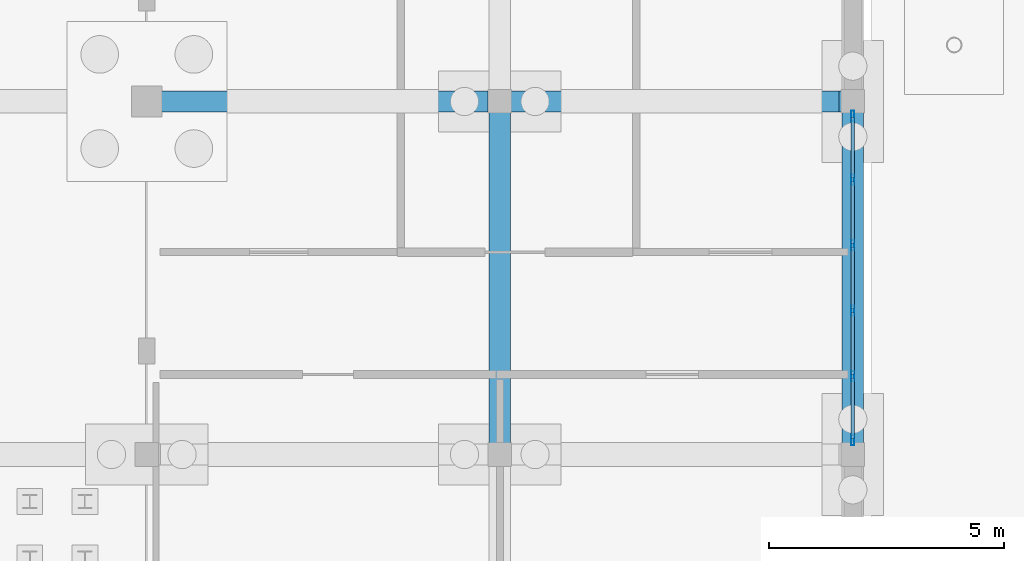
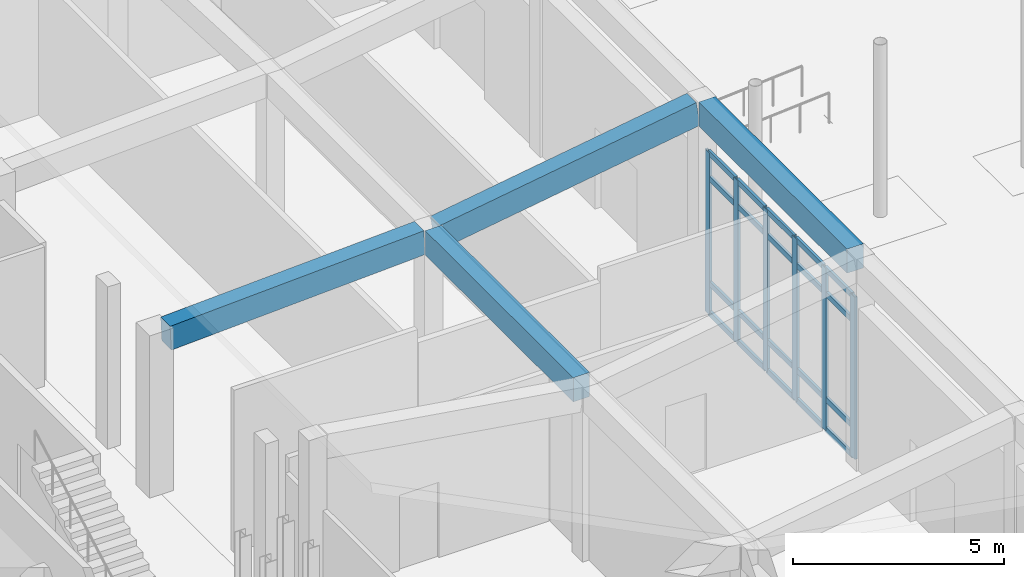
# One storey, part 36 of 173: 26 members, 4 beams, 1 element without a shape of its own.
"""IFC4 building model written with IfcOpenShell, lengths in metres."""

from ifc_helpers import new_model, si_unit, direction, frame, origin, origin_2d, place, context, subcontext, project, spatial, rectangle, hollow_rectangle, extrude, material, layer, layer_set, material_profile, profile_set, type_object, element, aggregate, save


model = new_model("IFC4")

# Units and contexts
model_context = context("Model", 3, precision=1e-05, world=origin(), true_north=direction((0.0, 1.0)))
body_context = subcontext(model_context, "Body", "Model", "MODEL_VIEW")
ifc_project = project(units=[si_unit("LENGTHUNIT", "METRE"), si_unit("AREAUNIT", "SQUARE_METRE"), si_unit("VOLUMEUNIT", "CUBIC_METRE"), si_unit("PLANEANGLEUNIT", "RADIAN"), si_unit("MASSUNIT", "GRAM", prefix="KILO")], contexts=[model_context])

# Site, building, storey
site_placement = place(None, origin())
site = spatial("IfcSite", under=ifc_project, at=site_placement, CompositionType="ELEMENT")
building_placement = place(site_placement, origin())
building = spatial("IfcBuilding", under=site, at=building_placement, Name="Mawjan Specialist Oncology Clinic", CompositionType="ELEMENT")
storey_placement = place(building_placement, origin())
storey = spatial("IfcBuildingStorey", under=building, at=storey_placement, Name="L00", CompositionType="ELEMENT", Elevation=0.0)

# Beams
ifc_material_1 = material(Name="Concrete C40/50", Category="concrete")
ifc_material_profile_1 = material_profile(ifc_material_1, rectangle(XDim=0.449951171875, YDim=0.699951171875, at=origin_2d()), Name="RC BM 450x700", Category="concrete")
ifc_profile_set_1 = profile_set([ifc_material_profile_1], Name="Concrete C40/50")
beam_type = type_object("IfcBeamType", Name="BM-450x700", PredefinedType="BEAM", material=ifc_profile_set_1)
beam_1_placement = place(storey_placement, frame((45.31005859375, 30.800048828125, 4.35009765625), z_axis=(0.998835460308, 0.0, 0.048246484129), x_axis=(0.0, 1.0, 0.0)))
element("IfcBeam", 1, at=beam_1_placement, inside=storey, type_object=beam_type, Name="L00 Roof Framing Beam BM-RF-L00-1246", PredefinedType="BEAM", context=body_context, shape_type="SweptSolid", body=[
    extrude(rectangle(XDim=0.449951171875, YDim=0.699951171875, at=origin_2d()), origin(), (0.0, 0.0, 1.0), 6.962890625),
])
beam_2_placement = place(storey_placement, frame((52.735107421875, 30.800048828125, 4.68603515625), z_axis=(0.987938984862, 0.0, 0.154843670163), x_axis=(0.0, 1.0, 0.0)))
element("IfcBeam", 2, at=beam_2_placement, inside=storey, type_object=beam_type, Name="L00 Roof Framing Beam BM-RF-L00-1247", PredefinedType="BEAM", context=body_context, shape_type="SweptSolid", body=[
    extrude(rectangle(XDim=0.449951171875, YDim=0.699951171875, at=origin_2d()), origin(), (0.0, 0.0, 1.0), 7.11572265625),
])
for number, where, z_axis, x_axis, name in (
    (3, (52.5, 23.534912109375, 4.68603515625), (0.0, 1.0, 0.0), (-1.0, 0.0, 0.0), "L00 Roof Framing Beam BM-RF-L00-1264"),
    (4, (60.0, 23.534912109375, 5.787841796875), (0.0, 1.0, 0.0), (-1.0, 0.0, 0.0), "L00 Roof Framing Beam BM-RF-L00-1269"),
):
    element("IfcBeam", number, at=place(storey_placement, frame(where, z_axis=z_axis, x_axis=x_axis)), inside=storey, type_object=beam_type, Name=name, PredefinedType="BEAM", context=body_context, shape_type="SweptSolid", body=[
        extrude(rectangle(XDim=0.449951171875, YDim=0.699951171875, at=origin_2d()), origin(), (0.0, 0.0, 1.0), 7.030029296875),
    ])

# Curtain wall, members
ifc_material_2 = material(Name="Unitised spectrally selective aluminium curtain wall", Category="aluminium")
ifc_layer = layer(ifc_material_2, 0.179931640625, Name="Unitised spectrally selective aluminium curtain wall", Category="aluminium")
ifc_layer_set = layer_set([ifc_layer], Name="Unitised spectrally selective aluminium curtain wall")
curtain_wall_type = type_object("IfcCurtainWallType", Name="CW-21", PredefinedType="NOTDEFINED", material=ifc_layer_set)
curtain_wall_placement = place(storey_placement, origin())
curtain_wall = element("IfcCurtainWall", 5, at=curtain_wall_placement, inside=storey, type_object=curtain_wall_type, Name="L00 Unitised Curtain Wall CW-L00-037", PredefinedType="NOTDEFINED")
ifc_material_3 = material(Name="Thermally broken aluminium 6063-T6", Category="aluminium")
ifc_material_profile_2 = material_profile(ifc_material_3, hollow_rectangle(XDim=0.070068359375, YDim=0.219970703125, WallThickness=0.00390625, at=origin_2d()), Name="ALU MULLION 220x70x4", Category="aluminium")
ifc_profile_set_2 = profile_set([ifc_material_profile_2], Name="Thermally broken aluminium 6063-T6")
member_type_1 = type_object("IfcMemberType", Name="CW-M220", PredefinedType="MULLION", material=ifc_profile_set_2)
member_1_placement = place(storey_placement, frame((60.0, 30.4951171875, 0.0), z_axis=(0.0, 0.0, 1.0), x_axis=(1.0, 0.0, 0.0)))
member_1 = element("IfcMember", 6, at=member_1_placement, type_object=member_type_1, Name="CW-21 mullion 1", PredefinedType="MULLION", context=body_context, shape_type="SweptSolid", body=[
    extrude(hollow_rectangle(XDim=0.070068359375, YDim=0.219970703125, WallThickness=0.00390625, at=origin_2d()), origin(), (0.0, 0.0, 1.0), 4.699951171875),
])
member_2_placement = place(storey_placement, frame((60.0, 29.137939453125, 0.0), z_axis=(0.0, 0.0, 1.0), x_axis=(1.0, 0.0, 0.0)))
member_2 = element("IfcMember", 7, at=member_2_placement, type_object=member_type_1, Name="CW-21 mullion 2", PredefinedType="MULLION", context=body_context, shape_type="SweptSolid", body=[
    extrude(hollow_rectangle(XDim=0.070068359375, YDim=0.219970703125, WallThickness=0.00390625, at=origin_2d()), origin(), (0.0, 0.0, 1.0), 4.699951171875),
])
member_3_placement = place(storey_placement, frame((60.0, 27.74609375, 0.0), z_axis=(0.0, 0.0, 1.0), x_axis=(1.0, 0.0, 0.0)))
member_3 = element("IfcMember", 8, at=member_3_placement, type_object=member_type_1, Name="CW-21 mullion 3", PredefinedType="MULLION", context=body_context, shape_type="SweptSolid", body=[
    extrude(hollow_rectangle(XDim=0.070068359375, YDim=0.219970703125, WallThickness=0.00390625, at=origin_2d()), origin(), (0.0, 0.0, 1.0), 4.699951171875),
])
member_4_placement = place(storey_placement, frame((60.0, 26.35400390625, 0.0), z_axis=(0.0, 0.0, 1.0), x_axis=(1.0, 0.0, 0.0)))
member_4 = element("IfcMember", 9, at=member_4_placement, type_object=member_type_1, Name="CW-21 mullion 4", PredefinedType="MULLION", context=body_context, shape_type="SweptSolid", body=[
    extrude(hollow_rectangle(XDim=0.070068359375, YDim=0.219970703125, WallThickness=0.00390625, at=origin_2d()), origin(), (0.0, 0.0, 1.0), 4.699951171875),
])
member_5_placement = place(storey_placement, frame((60.0, 24.9619140625, 0.0), z_axis=(0.0, 0.0, 1.0), x_axis=(1.0, 0.0, 0.0)))
member_5 = element("IfcMember", 10, at=member_5_placement, type_object=member_type_1, Name="CW-21 mullion 5", PredefinedType="MULLION", context=body_context, shape_type="SweptSolid", body=[
    extrude(hollow_rectangle(XDim=0.070068359375, YDim=0.219970703125, WallThickness=0.00390625, at=origin_2d()), origin(), (0.0, 0.0, 1.0), 4.699951171875),
])
member_6_placement = place(storey_placement, frame((60.0, 23.60498046875, 0.0), z_axis=(0.0, 0.0, 1.0), x_axis=(1.0, 0.0, 0.0)))
member_6 = element("IfcMember", 11, at=member_6_placement, type_object=member_type_1, Name="CW-21 mullion 6", PredefinedType="MULLION", context=body_context, shape_type="SweptSolid", body=[
    extrude(hollow_rectangle(XDim=0.070068359375, YDim=0.219970703125, WallThickness=0.00390625, at=origin_2d()), origin(), (0.0, 0.0, 1.0), 4.699951171875),
])
ifc_material_4 = material(Name="Thermally broken aluminium 6063-T6", Category="aluminium")
ifc_material_profile_3 = material_profile(ifc_material_4, hollow_rectangle(XDim=0.070068359375, YDim=0.159912109375, WallThickness=0.00390625, at=origin_2d()), Name="ALU TRANSOM 160x70x4", Category="aluminium")
ifc_profile_set_3 = profile_set([ifc_material_profile_3], Name="Thermally broken aluminium 6063-T6")
member_type_2 = type_object("IfcMemberType", Name="CW-T160", PredefinedType="USERDEFINED", material=ifc_profile_set_3)
member_7_placement = place(storey_placement, frame((60.0, 30.4599609375, 0.034912109375), z_axis=(0.0, -1.0, 0.0), x_axis=(1.0, 0.0, 0.0)))
member_7 = element("IfcMember", 12, at=member_7_placement, type_object=member_type_2, Name="CW-21 transom 1.1", ObjectType="TRANSOM", PredefinedType="USERDEFINED", context=body_context, shape_type="SweptSolid", body=[
    extrude(hollow_rectangle(XDim=0.070068359375, YDim=0.159912109375, WallThickness=0.00390625, at=origin_2d()), origin(), (0.0, 0.0, 1.0), 1.286865234375),
])
member_8_placement = place(storey_placement, frame((60.0, 30.4599609375, 0.89990234375), z_axis=(0.0, -1.0, 0.0), x_axis=(1.0, 0.0, 0.0)))
member_8 = element("IfcMember", 13, at=member_8_placement, type_object=member_type_2, Name="CW-21 transom 1.2", ObjectType="TRANSOM", PredefinedType="USERDEFINED", context=body_context, shape_type="SweptSolid", body=[
    extrude(hollow_rectangle(XDim=0.070068359375, YDim=0.159912109375, WallThickness=0.00390625, at=origin_2d()), origin(), (0.0, 0.0, 1.0), 1.286865234375),
])
member_9_placement = place(storey_placement, frame((60.0, 30.4599609375, 3.949951171875), z_axis=(0.0, -1.0, 0.0), x_axis=(1.0, 0.0, 0.0)))
member_9 = element("IfcMember", 14, at=member_9_placement, type_object=member_type_2, Name="CW-21 transom 1.3", ObjectType="TRANSOM", PredefinedType="USERDEFINED", context=body_context, shape_type="SweptSolid", body=[
    extrude(hollow_rectangle(XDim=0.070068359375, YDim=0.159912109375, WallThickness=0.00390625, at=origin_2d()), origin(), (0.0, 0.0, 1.0), 1.286865234375),
])
member_10_placement = place(storey_placement, frame((60.0, 30.4599609375, 4.6650390625), z_axis=(0.0, -1.0, 0.0), x_axis=(1.0, 0.0, 0.0)))
member_10 = element("IfcMember", 15, at=member_10_placement, type_object=member_type_2, Name="CW-21 transom 1.4", ObjectType="TRANSOM", PredefinedType="USERDEFINED", context=body_context, shape_type="SweptSolid", body=[
    extrude(hollow_rectangle(XDim=0.070068359375, YDim=0.159912109375, WallThickness=0.00390625, at=origin_2d()), origin(), (0.0, 0.0, 1.0), 1.286865234375),
])
member_11_placement = place(storey_placement, frame((60.0, 29.10302734375, 0.034912109375), z_axis=(0.0, -1.0, 0.0), x_axis=(1.0, 0.0, 0.0)))
member_11 = element("IfcMember", 16, at=member_11_placement, type_object=member_type_2, Name="CW-21 transom 2.1", ObjectType="TRANSOM", PredefinedType="USERDEFINED", context=body_context, shape_type="SweptSolid", body=[
    extrude(hollow_rectangle(XDim=0.070068359375, YDim=0.159912109375, WallThickness=0.00390625, at=origin_2d()), origin(), (0.0, 0.0, 1.0), 1.322021484375),
])
member_12_placement = place(storey_placement, frame((60.0, 29.10302734375, 0.89990234375), z_axis=(0.0, -1.0, 0.0), x_axis=(1.0, 0.0, 0.0)))
member_12 = element("IfcMember", 17, at=member_12_placement, type_object=member_type_2, Name="CW-21 transom 2.2", ObjectType="TRANSOM", PredefinedType="USERDEFINED", context=body_context, shape_type="SweptSolid", body=[
    extrude(hollow_rectangle(XDim=0.070068359375, YDim=0.159912109375, WallThickness=0.00390625, at=origin_2d()), origin(), (0.0, 0.0, 1.0), 1.322021484375),
])
member_13_placement = place(storey_placement, frame((60.0, 29.10302734375, 3.949951171875), z_axis=(0.0, -1.0, 0.0), x_axis=(1.0, 0.0, 0.0)))
member_13 = element("IfcMember", 18, at=member_13_placement, type_object=member_type_2, Name="CW-21 transom 2.3", ObjectType="TRANSOM", PredefinedType="USERDEFINED", context=body_context, shape_type="SweptSolid", body=[
    extrude(hollow_rectangle(XDim=0.070068359375, YDim=0.159912109375, WallThickness=0.00390625, at=origin_2d()), origin(), (0.0, 0.0, 1.0), 1.322021484375),
])
member_14_placement = place(storey_placement, frame((60.0, 29.10302734375, 4.6650390625), z_axis=(0.0, -1.0, 0.0), x_axis=(1.0, 0.0, 0.0)))
member_14 = element("IfcMember", 19, at=member_14_placement, type_object=member_type_2, Name="CW-21 transom 2.4", ObjectType="TRANSOM", PredefinedType="USERDEFINED", context=body_context, shape_type="SweptSolid", body=[
    extrude(hollow_rectangle(XDim=0.070068359375, YDim=0.159912109375, WallThickness=0.00390625, at=origin_2d()), origin(), (0.0, 0.0, 1.0), 1.322021484375),
])
member_15_placement = place(storey_placement, frame((60.0, 27.7109375, 0.034912109375), z_axis=(0.0, -1.0, 0.0), x_axis=(1.0, 0.0, 0.0)))
member_15 = element("IfcMember", 20, at=member_15_placement, type_object=member_type_2, Name="CW-21 transom 3.1", ObjectType="TRANSOM", PredefinedType="USERDEFINED", context=body_context, shape_type="SweptSolid", body=[
    extrude(hollow_rectangle(XDim=0.070068359375, YDim=0.159912109375, WallThickness=0.00390625, at=origin_2d()), origin(), (0.0, 0.0, 1.0), 1.322021484375),
])
member_16_placement = place(storey_placement, frame((60.0, 27.7109375, 0.89990234375), z_axis=(0.0, -1.0, 0.0), x_axis=(1.0, 0.0, 0.0)))
member_16 = element("IfcMember", 21, at=member_16_placement, type_object=member_type_2, Name="CW-21 transom 3.2", ObjectType="TRANSOM", PredefinedType="USERDEFINED", context=body_context, shape_type="SweptSolid", body=[
    extrude(hollow_rectangle(XDim=0.070068359375, YDim=0.159912109375, WallThickness=0.00390625, at=origin_2d()), origin(), (0.0, 0.0, 1.0), 1.322021484375),
])
member_17_placement = place(storey_placement, frame((60.0, 27.7109375, 3.949951171875), z_axis=(0.0, -1.0, 0.0), x_axis=(1.0, 0.0, 0.0)))
member_17 = element("IfcMember", 22, at=member_17_placement, type_object=member_type_2, Name="CW-21 transom 3.3", ObjectType="TRANSOM", PredefinedType="USERDEFINED", context=body_context, shape_type="SweptSolid", body=[
    extrude(hollow_rectangle(XDim=0.070068359375, YDim=0.159912109375, WallThickness=0.00390625, at=origin_2d()), origin(), (0.0, 0.0, 1.0), 1.322021484375),
])
member_18_placement = place(storey_placement, frame((60.0, 27.7109375, 4.6650390625), z_axis=(0.0, -1.0, 0.0), x_axis=(1.0, 0.0, 0.0)))
member_18 = element("IfcMember", 23, at=member_18_placement, type_object=member_type_2, Name="CW-21 transom 3.4", ObjectType="TRANSOM", PredefinedType="USERDEFINED", context=body_context, shape_type="SweptSolid", body=[
    extrude(hollow_rectangle(XDim=0.070068359375, YDim=0.159912109375, WallThickness=0.00390625, at=origin_2d()), origin(), (0.0, 0.0, 1.0), 1.322021484375),
])
member_19_placement = place(storey_placement, frame((60.0, 26.319091796875, 0.034912109375), z_axis=(0.0, -1.0, 0.0), x_axis=(1.0, 0.0, 0.0)))
member_19 = element("IfcMember", 24, at=member_19_placement, type_object=member_type_2, Name="CW-21 transom 4.1", ObjectType="TRANSOM", PredefinedType="USERDEFINED", context=body_context, shape_type="SweptSolid", body=[
    extrude(hollow_rectangle(XDim=0.070068359375, YDim=0.159912109375, WallThickness=0.00390625, at=origin_2d()), origin(), (0.0, 0.0, 1.0), 1.322021484375),
])
member_20_placement = place(storey_placement, frame((60.0, 26.319091796875, 0.89990234375), z_axis=(0.0, -1.0, 0.0), x_axis=(1.0, 0.0, 0.0)))
member_20 = element("IfcMember", 25, at=member_20_placement, type_object=member_type_2, Name="CW-21 transom 4.2", ObjectType="TRANSOM", PredefinedType="USERDEFINED", context=body_context, shape_type="SweptSolid", body=[
    extrude(hollow_rectangle(XDim=0.070068359375, YDim=0.159912109375, WallThickness=0.00390625, at=origin_2d()), origin(), (0.0, 0.0, 1.0), 1.322021484375),
])
member_21_placement = place(storey_placement, frame((60.0, 26.319091796875, 3.949951171875), z_axis=(0.0, -1.0, 0.0), x_axis=(1.0, 0.0, 0.0)))
member_21 = element("IfcMember", 26, at=member_21_placement, type_object=member_type_2, Name="CW-21 transom 4.3", ObjectType="TRANSOM", PredefinedType="USERDEFINED", context=body_context, shape_type="SweptSolid", body=[
    extrude(hollow_rectangle(XDim=0.070068359375, YDim=0.159912109375, WallThickness=0.00390625, at=origin_2d()), origin(), (0.0, 0.0, 1.0), 1.322021484375),
])
member_22_placement = place(storey_placement, frame((60.0, 26.319091796875, 4.6650390625), z_axis=(0.0, -1.0, 0.0), x_axis=(1.0, 0.0, 0.0)))
member_22 = element("IfcMember", 27, at=member_22_placement, type_object=member_type_2, Name="CW-21 transom 4.4", ObjectType="TRANSOM", PredefinedType="USERDEFINED", context=body_context, shape_type="SweptSolid", body=[
    extrude(hollow_rectangle(XDim=0.070068359375, YDim=0.159912109375, WallThickness=0.00390625, at=origin_2d()), origin(), (0.0, 0.0, 1.0), 1.322021484375),
])
member_23_placement = place(storey_placement, frame((60.0, 24.927001953125, 0.034912109375), z_axis=(0.0, -1.0, 0.0), x_axis=(1.0, 0.0, 0.0)))
member_23 = element("IfcMember", 28, at=member_23_placement, type_object=member_type_2, Name="CW-21 transom 5.1", ObjectType="TRANSOM", PredefinedType="USERDEFINED", context=body_context, shape_type="SweptSolid", body=[
    extrude(hollow_rectangle(XDim=0.070068359375, YDim=0.159912109375, WallThickness=0.00390625, at=origin_2d()), origin(), (0.0, 0.0, 1.0), 1.287109375),
])
member_24_placement = place(storey_placement, frame((60.0, 24.927001953125, 0.89990234375), z_axis=(0.0, -1.0, 0.0), x_axis=(1.0, 0.0, 0.0)))
member_24 = element("IfcMember", 29, at=member_24_placement, type_object=member_type_2, Name="CW-21 transom 5.2", ObjectType="TRANSOM", PredefinedType="USERDEFINED", context=body_context, shape_type="SweptSolid", body=[
    extrude(hollow_rectangle(XDim=0.070068359375, YDim=0.159912109375, WallThickness=0.00390625, at=origin_2d()), origin(), (0.0, 0.0, 1.0), 1.287109375),
])
member_25_placement = place(storey_placement, frame((60.0, 24.927001953125, 3.949951171875), z_axis=(0.0, -1.0, 0.0), x_axis=(1.0, 0.0, 0.0)))
member_25 = element("IfcMember", 30, at=member_25_placement, type_object=member_type_2, Name="CW-21 transom 5.3", ObjectType="TRANSOM", PredefinedType="USERDEFINED", context=body_context, shape_type="SweptSolid", body=[
    extrude(hollow_rectangle(XDim=0.070068359375, YDim=0.159912109375, WallThickness=0.00390625, at=origin_2d()), origin(), (0.0, 0.0, 1.0), 1.287109375),
])
member_26_placement = place(storey_placement, frame((60.0, 24.927001953125, 4.6650390625), z_axis=(0.0, -1.0, 0.0), x_axis=(1.0, 0.0, 0.0)))
member_26 = element("IfcMember", 31, at=member_26_placement, type_object=member_type_2, Name="CW-21 transom 5.4", ObjectType="TRANSOM", PredefinedType="USERDEFINED", context=body_context, shape_type="SweptSolid", body=[
    extrude(hollow_rectangle(XDim=0.070068359375, YDim=0.159912109375, WallThickness=0.00390625, at=origin_2d()), origin(), (0.0, 0.0, 1.0), 1.287109375),
])
aggregate(curtain_wall, [member_1, member_2, member_3, member_4, member_5, member_6, member_7, member_8, member_9, member_10, member_11, member_12, member_13, member_14, member_15, member_16, member_17, member_18, member_19, member_20, member_21, member_22, member_23, member_24, member_25, member_26])

save(model, "model.ifc")
